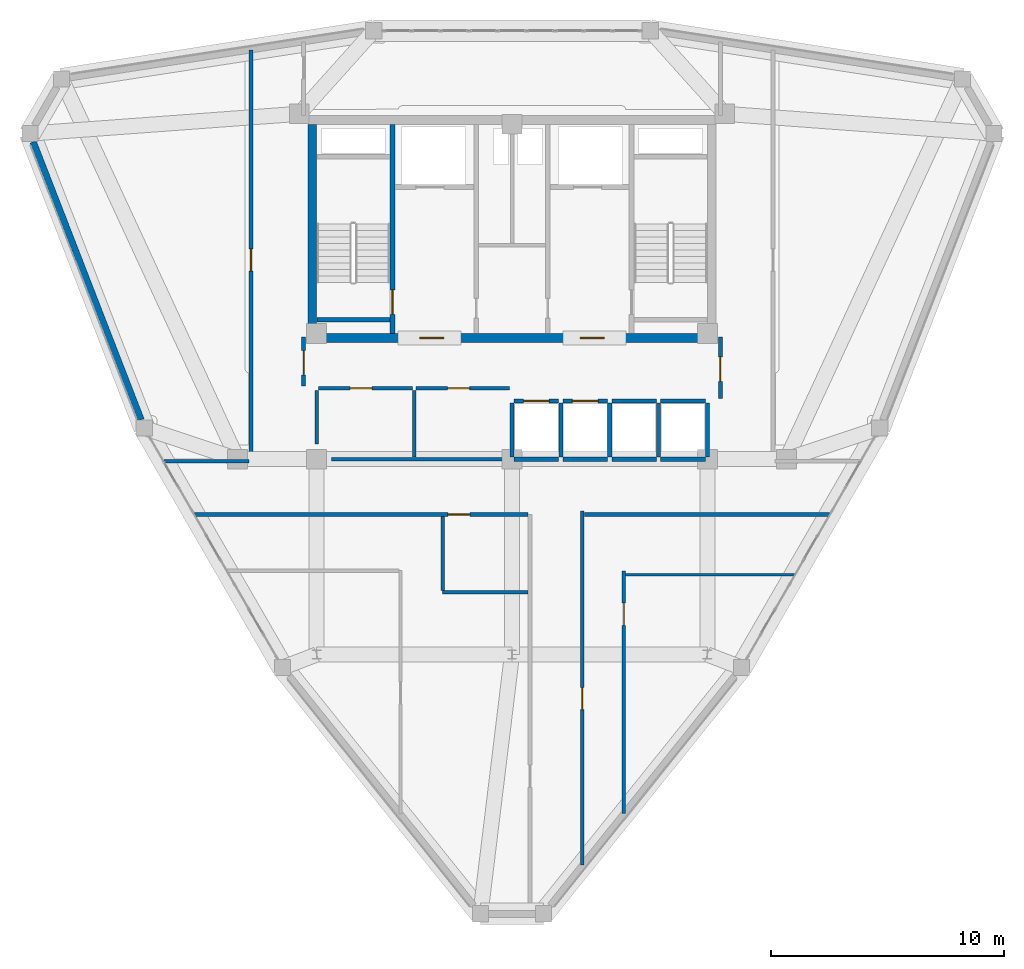
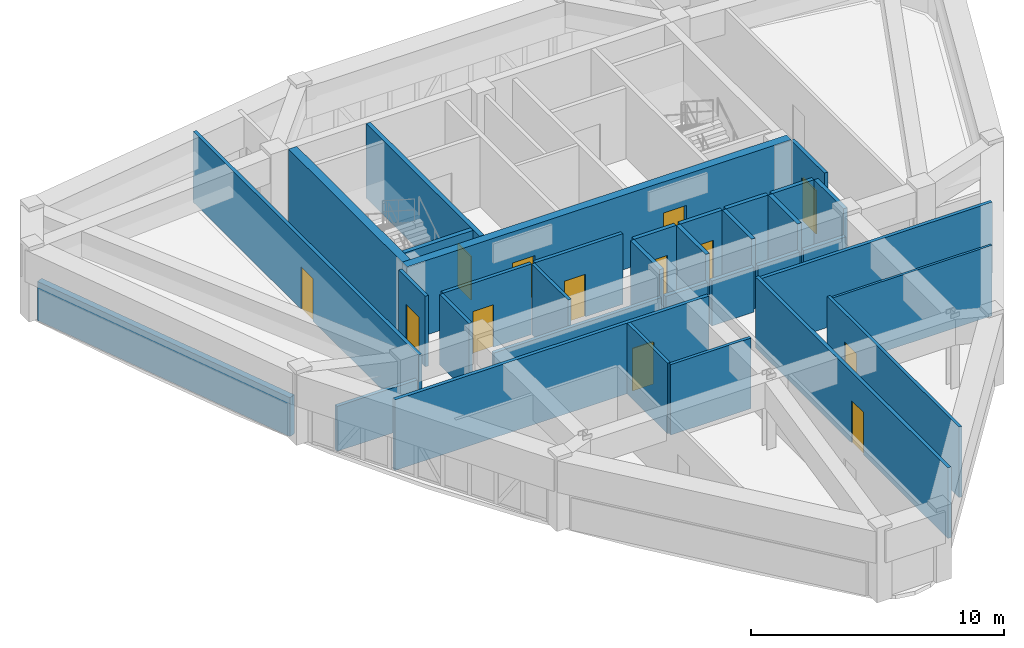
# One storey, part 11 of 14: 34 walls, 13 doors, 13 openings.
"""IFC4 building model written with IfcOpenShell, lengths in metres."""

from ifc_helpers import new_model, si_unit, derived_unit, direction, frame, frame_2d, origin, place, context, subcontext, project, spatial, rectangle, extrude, material, layer, layer_set, type_object, element, fill, save


model = new_model("IFC4")

# Units and contexts
model_context = context("Model", 3, precision=1e-05, world=origin(), true_north=direction((0.0, 1.0)))
body_context = subcontext(model_context, "Body", "Model", "MODEL_VIEW")
ifc_project = project(units=[si_unit("LENGTHUNIT", "METRE"), si_unit("AREAUNIT", "SQUARE_METRE"), si_unit("VOLUMEUNIT", "CUBIC_METRE"), si_unit("PLANEANGLEUNIT", "RADIAN"), si_unit("MASSUNIT", "GRAM", prefix="KILO"), derived_unit("THERMALTRANSMITTANCEUNIT", [(si_unit("POWERUNIT", "WATT"), 1), (si_unit("LENGTHUNIT", "METRE"), -2), (si_unit("THERMODYNAMICTEMPERATUREUNIT", "KELVIN"), -1)])], contexts=[model_context])

# Site, building, storey
site_placement = place(None, origin())
site = spatial("IfcSite", under=ifc_project, at=site_placement, CompositionType="ELEMENT")
building_placement = place(site_placement, origin())
building = spatial("IfcBuilding", under=site, at=building_placement, Name="Korsvarv Bourse and Concert Hall", CompositionType="ELEMENT")
storey_placement = place(building_placement, frame((0.0, 0.0, 253.800048828125)))
storey = spatial("IfcBuildingStorey", under=building, at=storey_placement, Name="L66", CompositionType="ELEMENT", Elevation=253.800048828125)

# Wall, openings, doors
ifc_material_1 = material(Name="Concrete C50/60", Category="concrete")
ifc_layer_1 = layer(ifc_material_1, 0.3798828125)
ifc_layer_set_1 = layer_set([ifc_layer_1], Name="Concrete C50/60")
wall_type_1 = type_object("IfcWallType", Name="WL-CORE-380", PredefinedType="SHEAR", material=ifc_layer_set_1)
wall_1_placement = place(storey_placement, frame((27.219970703125, 37.610107421875, 0.0), z_axis=(0.0, 0.0, 1.0), x_axis=(1.0, 0.0, 0.0)))
wall_1 = element("IfcWall", 1, at=wall_1_placement, inside=storey, type_object=wall_type_1, Name="L66 South Core Shear Wall", PredefinedType="SHEAR", context=body_context, shape_type="SweptSolid", body=[
    extrude(rectangle(XDim=17.56005859375, YDim=0.3798828125, at=frame_2d((8.780029296875, 0.0))), origin(), (0.0, 0.0, 1.0), 3.599853515625),
])
opening_1_placement = place(wall_1_placement, frame((4.804931640625, 0.0, 0.0)))
opening_1 = element("IfcOpeningElement", 2, at=opening_1_placement, cuts=wall_1, Name="Opening D-01", PredefinedType="OPENING", context=body_context, shape_type="SweptSolid", body=[
    extrude(rectangle(XDim=1.050048828125, YDim=2.10009765625, at=frame_2d((0.52490234375, 1.050048828125))), frame((0.0, 0.199951171875, 0.0), z_axis=(0.0, -1.0, 0.0), x_axis=(1.0, 0.0, 0.0)), (0.0, 0.0, 1.0), 0.39990234375),
])
opening_2_placement = place(wall_1_placement, frame((11.705078125, 0.0, 0.0)))
opening_2 = element("IfcOpeningElement", 3, at=opening_2_placement, cuts=wall_1, Name="Opening D-01", PredefinedType="OPENING", context=body_context, shape_type="SweptSolid", body=[
    extrude(rectangle(XDim=1.050048828125, YDim=2.10009765625, at=frame_2d((0.52490234375, 1.050048828125))), frame((0.0, 0.199951171875, 0.0), z_axis=(0.0, -1.0, 0.0), x_axis=(1.0, 0.0, 0.0)), (0.0, 0.0, 1.0), 0.39990234375),
])
ifc_material_2 = material(Name="Steel S355 fire door", Category="steel")
door_type_1 = type_object("IfcDoorType", Name="DR-FD60", OperationType="NOTDEFINED", PredefinedType="DOOR", material=ifc_material_2)
door_1_placement = place(opening_1_placement, frame((1.050048828125, 0.0, 0.0), z_axis=(0.0, 0.0, 1.0), x_axis=(-1.0, 0.0, 0.0)))
door_1 = element("IfcDoor", 4, at=door_1_placement, inside=storey, type_object=door_type_1, Name="L66 firefighting lobby fire door DR-L66-FFLW", OperationType="SINGLE_SWING_RIGHT", OverallHeight=2.10009765625, OverallWidth=1.050048828125, PredefinedType="DOOR", context=body_context, shape_type="SweptSolid", body=[
    extrude(rectangle(XDim=1.050048828125, YDim=2.10009765625, at=frame_2d((0.52490234375, 1.050048828125))), frame((0.0, 0.02490234375, 0.0), z_axis=(0.0, -1.0, 0.0), x_axis=(1.0, 0.0, 0.0)), (0.0, 0.0, 1.0), 0.050048828125),
])
fill(opening_1, door_1)
door_2_placement = place(opening_2_placement, frame((1.050048828125, 0.0, 0.0), z_axis=(0.0, 0.0, 1.0), x_axis=(-1.0, 0.0, 0.0)))
door_2 = element("IfcDoor", 5, at=door_2_placement, inside=storey, type_object=door_type_1, Name="L66 firefighting lobby fire door DR-L66-FFLE", OperationType="SINGLE_SWING_LEFT", OverallHeight=2.10009765625, OverallWidth=1.050048828125, PredefinedType="DOOR", context=body_context, shape_type="SweptSolid", body=[
    extrude(rectangle(XDim=1.050048828125, YDim=2.10009765625, at=frame_2d((0.52490234375, 1.050048828125))), frame((0.0, 0.02490234375, 0.0), z_axis=(0.0, -1.0, 0.0), x_axis=(1.0, 0.0, 0.0)), (0.0, 0.0, 1.0), 0.050048828125),
])
fill(opening_2, door_2)

# Wall
wall_2_placement = place(storey_placement, frame((27.409912109375, 37.800048828125, 0.0), z_axis=(0.0, 0.0, 1.0), x_axis=(0.0, 1.0, 0.0)))
element("IfcWall", 6, at=wall_2_placement, inside=storey, type_object=wall_type_1, Name="L66 West Core Shear Wall", PredefinedType="SHEAR", context=body_context, shape_type="SweptSolid", body=[
    extrude(rectangle(XDim=9.0, YDim=0.3798828125, at=frame_2d((4.5, 0.0))), origin(), (0.0, 0.0, 1.0), 3.599853515625),
])

# Wall, opening, door
wall_3_placement = place(storey_placement, frame((30.860107421875, 37.81005859375, 0.0), z_axis=(0.0, 0.0, 1.0), x_axis=(0.0, 1.0, 0.0)))
wall_3 = element("IfcWall", 7, at=wall_3_placement, inside=storey, type_object=wall_type_1, Name="L66 stair shaft structural wall W-L66-ST1-E", PredefinedType="SHEAR", context=body_context, shape_type="SweptSolid", body=[
    extrude(rectangle(XDim=8.97998046875, YDim=0.199951171875, at=frame_2d((4.489990234375, 0.0))), origin(), (0.0, 0.0, 1.0), 3.599853515625),
])
opening_3_placement = place(wall_3_placement, frame((0.820068359375, 0.0, 0.0)))
opening_3 = element("IfcOpeningElement", 8, at=opening_3_placement, cuts=wall_3, Name="Opening D-01", PredefinedType="OPENING", context=body_context, shape_type="SweptSolid", body=[
    extrude(rectangle(XDim=1.050048828125, YDim=2.10009765625, at=frame_2d((0.52490234375, 1.050048828125))), frame((0.0, 0.10986328125, 0.0), z_axis=(0.0, -1.0, 0.0), x_axis=(1.0, 0.0, 0.0)), (0.0, 0.0, 1.0), 0.219970703125),
])
door_3_placement = place(opening_3_placement, origin())
door_3 = element("IfcDoor", 9, at=door_3_placement, inside=storey, type_object=door_type_1, Name="L66 interior door DR-L66-ST1", OperationType="SINGLE_SWING_RIGHT", OverallHeight=2.10009765625, OverallWidth=1.050048828125, PredefinedType="DOOR", context=body_context, shape_type="SweptSolid", body=[
    extrude(rectangle(XDim=1.050048828125, YDim=2.10009765625, at=frame_2d((0.52490234375, 1.050048828125))), frame((0.0, 0.02490234375, 0.0), z_axis=(0.0, -1.0, 0.0), x_axis=(1.0, 0.0, 0.0)), (0.0, 0.0, 1.0), 0.050048828125),
])
fill(opening_3, door_3)

# Walls
wall_4_placement = place(storey_placement, frame((27.610107421875, 38.39990234375, 0.0), z_axis=(0.0, 0.0, 1.0), x_axis=(1.0, 0.0, 0.0)))
element("IfcWall", 10, at=wall_4_placement, inside=storey, type_object=wall_type_1, Name="L66 stair shaft structural wall W-L66-ST1-S", PredefinedType="SHEAR", context=body_context, shape_type="SweptSolid", body=[
    extrude(rectangle(XDim=3.139892578125, YDim=0.199951171875, at=frame_2d((1.56982421875, 0.0))), origin(), (0.0, 0.0, 1.0), 3.599853515625),
])
ifc_material_3 = material(Name="Precast concrete C45/55 with fluted terracotta pier", Category="concrete")
ifc_layer_2 = layer(ifc_material_3, 0.280029296875)
ifc_layer_set_2 = layer_set([ifc_layer_2], Name="Precast concrete C45/55 with fluted terracotta pier")
wall_type_2 = type_object("IfcWallType", Name="WL-EXT-TC2", PredefinedType="SOLIDWALL", material=ifc_layer_set_2)
wall_5_placement = place(storey_placement, frame((15.41259765625, 46.044189453125, 0.0), z_axis=(0.0, 0.0, 1.0), x_axis=(0.36191228283, -0.932212153716, 0.0)))
element("IfcWall", 11, at=wall_5_placement, inside=storey, type_object=wall_type_2, Name="L66 terracotta exterior wall EW-L66-B06", PredefinedType="SOLIDWALL", context=body_context, shape_type="SweptSolid", body=[
    extrude(rectangle(XDim=12.820556640625, YDim=0.280029296875, at=frame_2d((6.41015625, 0.0))), origin(), (0.0, 0.0, 1.0), 1.8798828125),
])
ifc_material_4 = material(Name="Double-stud fire-rated acoustic partition", Category="gypsum")
ifc_layer_3 = layer(ifc_material_4, 0.159912109375)
ifc_layer_set_3 = layer_set([ifc_layer_3], Name="Double-stud fire-rated acoustic partition")
wall_type_3 = type_object("IfcWallType", Name="WL-INT-EI60", PredefinedType="PARTITIONING", material=ifc_layer_set_3)
wall_6_placement = place(storey_placement, frame((28.25, 32.39990234375, 0.0), z_axis=(0.0, 0.0, 1.0), x_axis=(1.0, 0.0, 0.0)))
element("IfcWall", 12, at=wall_6_placement, inside=storey, type_object=wall_type_3, Name="L66 interior partition wall W-L66-FRD-S", PredefinedType="PARTITIONING", context=body_context, shape_type="SweptSolid", body=[
    extrude(rectangle(XDim=7.64990234375, YDim=0.159912109375, at=frame_2d((3.824951171875, 0.0))), origin(), (0.0, 0.0, 1.0), 2.169921875),
])
wall_7_placement = place(storey_placement, frame((27.60009765625, 33.050048828125, 0.0), z_axis=(0.0, 0.0, 1.0), x_axis=(0.0, 1.0, 0.0)))
element("IfcWall", 13, at=wall_7_placement, inside=storey, type_object=wall_type_3, Name="L66 interior partition wall W-L66-FRD-W", PredefinedType="PARTITIONING", context=body_context, shape_type="SweptSolid", body=[
    extrude(rectangle(XDim=2.31005859375, YDim=0.159912109375, at=frame_2d((1.155029296875, 0.0))), origin(), (0.0, 0.0, 1.0), 3.409912109375),
])

# Wall, opening, door
wall_8_placement = place(storey_placement, frame((27.68994140625, 35.449951171875, 0.0), z_axis=(0.0, 0.0, 1.0), x_axis=(1.0, 0.0, 0.0)))
wall_8 = element("IfcWall", 14, at=wall_8_placement, inside=storey, type_object=wall_type_3, Name="L66 interior partition wall W-L66-FRD-N1", PredefinedType="PARTITIONING", context=body_context, shape_type="SweptSolid", body=[
    extrude(rectangle(XDim=4.030029296875, YDim=0.159912109375, at=frame_2d((2.01513671875, 0.0))), origin(), (0.0, 0.0, 1.0), 3.409912109375),
])
opening_4_placement = place(wall_8_placement, frame((1.35009765625, 0.0, 0.0)))
opening_4 = element("IfcOpeningElement", 15, at=opening_4_placement, cuts=wall_8, Name="Opening D-03", PredefinedType="OPENING", context=body_context, shape_type="SweptSolid", body=[
    extrude(rectangle(XDim=0.949951171875, YDim=2.050048828125, at=frame_2d((0.47509765625, 1.02490234375))), frame((0.0, 0.08984375, 0.0), z_axis=(0.0, -1.0, 0.0), x_axis=(1.0, 0.0, 0.0)), (0.0, 0.0, 1.0), 0.179931640625),
])
ifc_material_5 = material(Name="Nordic oak acoustic office door", Category="wood")
door_type_2 = type_object("IfcDoorType", Name="DR-INT-1", OperationType="NOTDEFINED", PredefinedType="DOOR", material=ifc_material_5)
door_4_placement = place(opening_4_placement, origin())
door_4 = element("IfcDoor", 16, at=door_4_placement, inside=storey, type_object=door_type_2, Name="L66 interior door DR-L66-FRDN1", OperationType="SINGLE_SWING_RIGHT", OverallHeight=2.050048828125, OverallWidth=0.949951171875, PredefinedType="DOOR", context=body_context, shape_type="SweptSolid", body=[
    extrude(rectangle(XDim=0.949951171875, YDim=2.050048828125, at=frame_2d((0.47509765625, 1.02490234375))), frame((0.0, 0.02490234375, 0.0), z_axis=(0.0, -1.0, 0.0), x_axis=(1.0, 0.0, 0.0)), (0.0, 0.0, 1.0), 0.050048828125),
])
fill(opening_4, door_4)

wall_9_placement = place(storey_placement, frame((31.8798828125, 35.449951171875, 0.0), z_axis=(0.0, 0.0, 1.0), x_axis=(1.0, 0.0, 0.0)))
wall_9 = element("IfcWall", 17, at=wall_9_placement, inside=storey, type_object=wall_type_3, Name="L66 interior partition wall W-L66-FRD-N2", PredefinedType="PARTITIONING", context=body_context, shape_type="SweptSolid", body=[
    extrude(rectangle(XDim=4.02001953125, YDim=0.159912109375, at=frame_2d((2.010009765625, 0.0))), origin(), (0.0, 0.0, 1.0), 3.409912109375),
])
opening_5_placement = place(wall_9_placement, frame((1.35009765625, 0.0, 0.0)))
opening_5 = element("IfcOpeningElement", 18, at=opening_5_placement, cuts=wall_9, Name="Opening D-03", PredefinedType="OPENING", context=body_context, shape_type="SweptSolid", body=[
    extrude(rectangle(XDim=0.949951171875, YDim=2.050048828125, at=frame_2d((0.47509765625, 1.02490234375))), frame((0.0, 0.08984375, 0.0), z_axis=(0.0, -1.0, 0.0), x_axis=(1.0, 0.0, 0.0)), (0.0, 0.0, 1.0), 0.179931640625),
])
door_5_placement = place(opening_5_placement, origin())
door_5 = element("IfcDoor", 19, at=door_5_placement, inside=storey, type_object=door_type_2, Name="L66 interior door DR-L66-FRDN2", OperationType="SINGLE_SWING_LEFT", OverallHeight=2.050048828125, OverallWidth=0.949951171875, PredefinedType="DOOR", context=body_context, shape_type="SweptSolid", body=[
    extrude(rectangle(XDim=0.949951171875, YDim=2.050048828125, at=frame_2d((0.47509765625, 1.02490234375))), frame((0.0, 0.02490234375, 0.0), z_axis=(0.0, -1.0, 0.0), x_axis=(1.0, 0.0, 0.0)), (0.0, 0.0, 1.0), 0.050048828125),
])
fill(opening_5, door_5)

wall_10_placement = place(storey_placement, frame((27.0400390625, 35.5400390625, 0.0), z_axis=(0.0, 0.0, 1.0), x_axis=(0.0, 1.0, 0.0)))
wall_10 = element("IfcWall", 20, at=wall_10_placement, inside=storey, type_object=wall_type_3, Name="L66 interior partition wall W-L66-LOB-WL", PredefinedType="PARTITIONING", context=body_context, shape_type="SweptSolid", body=[
    extrude(rectangle(XDim=2.10986328125, YDim=0.159912109375, at=frame_2d((1.054931640625, 0.0))), origin(), (0.0, 0.0, 1.0), 3.409912109375),
])
opening_6_placement = place(wall_10_placement, frame((0.47998046875, 0.0, 0.0)))
opening_6 = element("IfcOpeningElement", 21, at=opening_6_placement, cuts=wall_10, Name="Opening D-01", PredefinedType="OPENING", context=body_context, shape_type="SweptSolid", body=[
    extrude(rectangle(XDim=1.050048828125, YDim=2.10009765625, at=frame_2d((0.52490234375, 1.050048828125))), frame((0.0, 0.08984375, 0.0), z_axis=(0.0, -1.0, 0.0), x_axis=(1.0, 0.0, 0.0)), (0.0, 0.0, 1.0), 0.179931640625),
])
door_6_placement = place(opening_6_placement, frame((1.050048828125, 0.0, 0.0), z_axis=(0.0, 0.0, 1.0), x_axis=(-1.0, 0.0, 0.0)))
door_6 = element("IfcDoor", 22, at=door_6_placement, inside=storey, type_object=door_type_1, Name="L66 interior door DR-L66-LOBW", OperationType="SINGLE_SWING_RIGHT", OverallHeight=2.10009765625, OverallWidth=1.050048828125, PredefinedType="DOOR", context=body_context, shape_type="SweptSolid", body=[
    extrude(rectangle(XDim=1.050048828125, YDim=2.10009765625, at=frame_2d((0.52490234375, 1.050048828125))), frame((0.0, 0.02490234375, 0.0), z_axis=(0.0, -1.0, 0.0), x_axis=(1.0, 0.0, 0.0)), (0.0, 0.0, 1.0), 0.050048828125),
])
fill(opening_6, door_6)

wall_11_placement = place(storey_placement, frame((44.9599609375, 35.0, 0.0), z_axis=(0.0, 0.0, 1.0), x_axis=(0.0, 1.0, 0.0)))
wall_11 = element("IfcWall", 23, at=wall_11_placement, inside=storey, type_object=wall_type_3, Name="L66 interior partition wall W-L66-LOB-E", PredefinedType="PARTITIONING", context=body_context, shape_type="SweptSolid", body=[
    extrude(rectangle(XDim=2.64990234375, YDim=0.159912109375, at=frame_2d((1.324951171875, 0.0))), origin(), (0.0, 0.0, 1.0), 3.409912109375),
])
opening_7_placement = place(wall_11_placement, frame((0.75, 0.0, 0.0)))
opening_7 = element("IfcOpeningElement", 24, at=opening_7_placement, cuts=wall_11, Name="Opening D-01", PredefinedType="OPENING", context=body_context, shape_type="SweptSolid", body=[
    extrude(rectangle(XDim=1.050048828125, YDim=2.10009765625, at=frame_2d((0.52490234375, 1.050048828125))), frame((0.0, 0.08984375, 0.0), z_axis=(0.0, -1.0, 0.0), x_axis=(1.0, 0.0, 0.0)), (0.0, 0.0, 1.0), 0.179931640625),
])
door_7_placement = place(opening_7_placement, origin())
door_7 = element("IfcDoor", 25, at=door_7_placement, inside=storey, type_object=door_type_1, Name="L66 interior door DR-L66-LOBE", OperationType="SINGLE_SWING_LEFT", OverallHeight=2.10009765625, OverallWidth=1.050048828125, PredefinedType="DOOR", context=body_context, shape_type="SweptSolid", body=[
    extrude(rectangle(XDim=1.050048828125, YDim=2.10009765625, at=frame_2d((0.52490234375, 1.050048828125))), frame((0.0, 0.02490234375, 0.0), z_axis=(0.0, -1.0, 0.0), x_axis=(1.0, 0.0, 0.0)), (0.0, 0.0, 1.0), 0.050048828125),
])
fill(opening_7, door_7)

wall_12_placement = place(storey_placement, frame((24.77490234375, 32.159912109375, 0.0), z_axis=(0.0, 0.0, 1.0), x_axis=(0.0, 1.0, 0.0)))
wall_12 = element("IfcWall", 26, at=wall_12_placement, inside=storey, type_object=wall_type_3, Name="L66 interior partition wall W-L66-TCOR-02", PredefinedType="PARTITIONING", context=body_context, shape_type="SweptSolid", body=[
    extrude(rectangle(XDim=17.8271484375, YDim=0.159912109375, at=frame_2d((8.91357421875, 0.0))), origin(), (0.0, 0.0, 1.0), 3.409912109375),
])
opening_8_placement = place(wall_12_placement, frame((8.330322265625, 0.0, 0.0)))
opening_8 = element("IfcOpeningElement", 27, at=opening_8_placement, cuts=wall_12, Name="Opening D-02", PredefinedType="OPENING", context=body_context, shape_type="SweptSolid", body=[
    extrude(rectangle(XDim=0.949951171875, YDim=2.050048828125, at=frame_2d((0.47509765625, 1.02490234375))), frame((0.0, 0.08984375, 0.0), z_axis=(0.0, -1.0, 0.0), x_axis=(1.0, 0.0, 0.0)), (0.0, 0.0, 1.0), 0.179931640625),
])
ifc_material_6 = material(Name="Timber and steel acoustic fire door", Category="wood")
door_type_3 = type_object("IfcDoorType", Name="DR-FD30", OperationType="NOTDEFINED", PredefinedType="DOOR", material=ifc_material_6)
door_8_placement = place(opening_8_placement, origin())
door_8 = element("IfcDoor", 28, at=door_8_placement, inside=storey, type_object=door_type_3, Name="L66 interior door DR-L66-TCOR-NWC7", OperationType="SINGLE_SWING_LEFT", OverallHeight=2.050048828125, OverallWidth=0.949951171875, PredefinedType="DOOR", context=body_context, shape_type="SweptSolid", body=[
    extrude(rectangle(XDim=0.949951171875, YDim=2.050048828125, at=frame_2d((0.47509765625, 1.02490234375))), frame((0.0, 0.02490234375, 0.0), z_axis=(0.0, -1.0, 0.0), x_axis=(1.0, 0.0, 0.0)), (0.0, 0.0, 1.0), 0.050048828125),
])
fill(opening_8, door_8)

wall_13_placement = place(storey_placement, frame((39.02490234375, 14.9482421875, 0.0), z_axis=(0.0, 0.0, 1.0), x_axis=(0.0, 1.0, 0.0)))
wall_13 = element("IfcWall", 29, at=wall_13_placement, inside=storey, type_object=wall_type_3, Name="L66 interior partition wall W-L66-TCOR-04", PredefinedType="PARTITIONING", context=body_context, shape_type="SweptSolid", body=[
    extrude(rectangle(XDim=15.231689453125, YDim=0.159912109375, at=frame_2d((7.61572265625, 0.0))), origin(), (0.0, 0.0, 1.0), 3.409912109375),
])
opening_9_placement = place(wall_13_placement, frame((6.6796875, 0.0, 0.0)))
opening_9 = element("IfcOpeningElement", 30, at=opening_9_placement, cuts=wall_13, Name="Opening D-02", PredefinedType="OPENING", context=body_context, shape_type="SweptSolid", body=[
    extrude(rectangle(XDim=0.949951171875, YDim=2.050048828125, at=frame_2d((0.47509765625, 1.02490234375))), frame((0.0, 0.08984375, 0.0), z_axis=(0.0, -1.0, 0.0), x_axis=(1.0, 0.0, 0.0)), (0.0, 0.0, 1.0), 0.179931640625),
])
door_9_placement = place(opening_9_placement, origin())
door_9 = element("IfcDoor", 31, at=door_9_placement, inside=storey, type_object=door_type_3, Name="L66 interior door DR-L66-TCOR-SEB2", OperationType="SINGLE_SWING_LEFT", OverallHeight=2.050048828125, OverallWidth=0.949951171875, PredefinedType="DOOR", context=body_context, shape_type="SweptSolid", body=[
    extrude(rectangle(XDim=0.949951171875, YDim=2.050048828125, at=frame_2d((0.47509765625, 1.02490234375))), frame((0.0, 0.02490234375, 0.0), z_axis=(0.0, -1.0, 0.0), x_axis=(1.0, 0.0, 0.0)), (0.0, 0.0, 1.0), 0.050048828125),
])
fill(opening_9, door_9)

wall_14_placement = place(storey_placement, frame((22.35400390625, 30.02490234375, 0.0), z_axis=(0.0, 0.0, 1.0), x_axis=(1.0, 0.0, 0.0)))
wall_14 = element("IfcWall", 32, at=wall_14_placement, inside=storey, type_object=wall_type_3, Name="L66 interior partition wall W-L66-TCOR-05", PredefinedType="PARTITIONING", context=body_context, shape_type="SweptSolid", body=[
    extrude(rectangle(XDim=14.339111328125, YDim=0.159912109375, at=frame_2d((7.16943359375, 0.0))), origin(), (0.0, 0.0, 1.0), 3.409912109375),
])
opening_10_placement = place(wall_14_placement, frame((10.885986328125, 0.0, 0.0)))
opening_10 = element("IfcOpeningElement", 33, at=opening_10_placement, cuts=wall_14, Name="Opening D-02", PredefinedType="OPENING", context=body_context, shape_type="SweptSolid", body=[
    extrude(rectangle(XDim=0.949951171875, YDim=2.050048828125, at=frame_2d((0.47509765625, 1.02490234375))), frame((0.0, 0.08984375, 0.0), z_axis=(0.0, -1.0, 0.0), x_axis=(1.0, 0.0, 0.0)), (0.0, 0.0, 1.0), 0.179931640625),
])
door_10_placement = place(opening_10_placement, origin())
door_10 = element("IfcDoor", 34, at=door_10_placement, inside=storey, type_object=door_type_3, Name="L66 interior door DR-L66-TCOR-RWC", OperationType="SINGLE_SWING_RIGHT", OverallHeight=2.050048828125, OverallWidth=0.949951171875, PredefinedType="DOOR", context=body_context, shape_type="SweptSolid", body=[
    extrude(rectangle(XDim=0.949951171875, YDim=2.050048828125, at=frame_2d((0.47509765625, 1.02490234375))), frame((0.0, 0.02490234375, 0.0), z_axis=(0.0, -1.0, 0.0), x_axis=(1.0, 0.0, 0.0)), (0.0, 0.0, 1.0), 0.050048828125),
])
fill(opening_10, door_10)

# Walls
wall_15_placement = place(storey_placement, frame((39.10693359375, 30.02490234375, 0.0), z_axis=(0.0, 0.0, 1.0), x_axis=(1.0, 0.0, 0.0)))
element("IfcWall", 35, at=wall_15_placement, inside=storey, type_object=wall_type_3, Name="L66 interior partition wall W-L66-TCOR-06", PredefinedType="PARTITIONING", context=body_context, shape_type="SweptSolid", body=[
    extrude(rectangle(XDim=10.5390625, YDim=0.159912109375, at=frame_2d((5.26953125, 0.0))), origin(), (0.0, 0.0, 1.0), 3.409912109375),
])
wall_16_placement = place(storey_placement, frame((21.03173828125, 32.31494140625, 0.0), z_axis=(0.0, 0.0, 1.0), x_axis=(1.0, 0.0, 0.0)))
element("IfcWall", 36, at=wall_16_placement, inside=storey, type_object=wall_type_3, Name="L66 interior partition wall W-L66-TCOR-07", PredefinedType="PARTITIONING", context=body_context, shape_type="SweptSolid", body=[
    extrude(rectangle(XDim=3.661376953125, YDim=0.159912109375, at=frame_2d((1.83056640625, 0.0))), origin(), (0.0, 0.0, 1.0), 2.169921875),
])

# Wall, opening, door
ifc_material_7 = material(Name="Gypsum-clad autoclaved concrete shaft wall C30/37", Category="concrete")
ifc_layer_4 = layer(ifc_material_7, 0.179931640625)
ifc_layer_set_4 = layer_set([ifc_layer_4], Name="Gypsum-clad autoclaved concrete shaft wall C30/37")
wall_type_4 = type_object("IfcWallType", Name="WL-INT-EI90", PredefinedType="PARTITIONING", material=ifc_layer_set_4)
wall_17_placement = place(storey_placement, frame((36.090087890625, 34.89990234375, 0.0), z_axis=(0.0, 0.0, 1.0), x_axis=(1.0, 0.0, 0.0)))
wall_17 = element("IfcWall", 37, at=wall_17_placement, inside=storey, type_object=wall_type_4, Name="L66 interior partition wall W-L66-SHFN-PH1", PredefinedType="PARTITIONING", context=body_context, shape_type="SweptSolid", body=[
    extrude(rectangle(XDim=1.919921875, YDim=0.179931640625, at=frame_2d((0.9599609375, 0.0))), origin(), (0.0, 0.0, 1.0), 3.409912109375),
])
opening_11_placement = place(wall_17_placement, frame((0.409912109375, 0.0, 0.0)))
opening_11 = element("IfcOpeningElement", 38, at=opening_11_placement, cuts=wall_17, Name="Opening LD-2", PredefinedType="OPENING", context=body_context, shape_type="SweptSolid", body=[
    extrude(rectangle(XDim=1.10009765625, YDim=2.10009765625, at=frame_2d((0.550048828125, 1.050048828125))), frame((0.0, 0.10009765625, 0.0), z_axis=(0.0, -1.0, 0.0), x_axis=(1.0, 0.0, 0.0)), (0.0, 0.0, 1.0), 0.199951171875),
])
ifc_material_8 = material(Name="Brushed stainless Steel S355 lift landing door", Category="steel")
door_type_4 = type_object("IfcDoorType", Name="DR-LIFT-P", OperationType="DOUBLE_DOOR_SLIDING", PredefinedType="DOOR", material=ifc_material_8)
door_11_placement = place(opening_11_placement, origin())
door_11 = element("IfcDoor", 39, at=door_11_placement, inside=storey, type_object=door_type_4, Name="L66 lift sliding landing door LD-L66-PH1", OperationType="DOUBLE_DOOR_SLIDING", OverallHeight=2.10009765625, OverallWidth=1.10009765625, PredefinedType="DOOR", context=body_context, shape_type="SweptSolid", body=[
    extrude(rectangle(XDim=1.10009765625, YDim=2.10009765625, at=frame_2d((0.550048828125, 1.050048828125))), frame((0.0, 0.02490234375, 0.0), z_axis=(0.0, -1.0, 0.0), x_axis=(1.0, 0.0, 0.0)), (0.0, 0.0, 1.0), 0.050048828125),
])
fill(opening_11, door_11)

# Walls
wall_18_placement = place(storey_placement, frame((36.090087890625, 32.39990234375, 0.0), z_axis=(0.0, 0.0, 1.0), x_axis=(1.0, 0.0, 0.0)))
element("IfcWall", 40, at=wall_18_placement, inside=storey, type_object=wall_type_4, Name="L66 interior partition wall W-L66-SHFS-PH1", PredefinedType="PARTITIONING", context=body_context, shape_type="SweptSolid", body=[
    extrude(rectangle(XDim=1.919921875, YDim=0.179931640625, at=frame_2d((0.9599609375, 0.0))), origin(), (0.0, 0.0, 1.0), 2.169921875),
])
wall_19_placement = place(storey_placement, frame((36.0, 32.489990234375, 0.0), z_axis=(0.0, 0.0, 1.0), x_axis=(0.0, 1.0, 0.0)))
element("IfcWall", 41, at=wall_19_placement, inside=storey, type_object=wall_type_4, Name="L66 interior partition wall W-L66-SHFW-PH1", PredefinedType="PARTITIONING", context=body_context, shape_type="SweptSolid", body=[
    extrude(rectangle(XDim=2.320068359375, YDim=0.179931640625, at=frame_2d((1.16015625, 0.0))), origin(), (0.0, 0.0, 1.0), 3.409912109375),
])

# Wall, opening, door
wall_20_placement = place(storey_placement, frame((38.18994140625, 34.89990234375, 0.0), z_axis=(0.0, 0.0, 1.0), x_axis=(1.0, 0.0, 0.0)))
wall_20 = element("IfcWall", 42, at=wall_20_placement, inside=storey, type_object=wall_type_4, Name="L66 interior partition wall W-L66-SHFN-PH2", PredefinedType="PARTITIONING", context=body_context, shape_type="SweptSolid", body=[
    extrude(rectangle(XDim=1.920166015625, YDim=0.179931640625, at=frame_2d((0.9599609375, 0.0))), origin(), (0.0, 0.0, 1.0), 3.409912109375),
])
opening_12_placement = place(wall_20_placement, frame((0.409912109375, 0.0, 0.0)))
opening_12 = element("IfcOpeningElement", 43, at=opening_12_placement, cuts=wall_20, Name="Opening LD-2", PredefinedType="OPENING", context=body_context, shape_type="SweptSolid", body=[
    extrude(rectangle(XDim=1.10009765625, YDim=2.10009765625, at=frame_2d((0.550048828125, 1.050048828125))), frame((0.0, 0.10009765625, 0.0), z_axis=(0.0, -1.0, 0.0), x_axis=(1.0, 0.0, 0.0)), (0.0, 0.0, 1.0), 0.199951171875),
])
door_12_placement = place(opening_12_placement, origin())
door_12 = element("IfcDoor", 44, at=door_12_placement, inside=storey, type_object=door_type_4, Name="L66 lift sliding landing door LD-L66-PH2", OperationType="DOUBLE_DOOR_SLIDING", OverallHeight=2.10009765625, OverallWidth=1.10009765625, PredefinedType="DOOR", context=body_context, shape_type="SweptSolid", body=[
    extrude(rectangle(XDim=1.10009765625, YDim=2.10009765625, at=frame_2d((0.550048828125, 1.050048828125))), frame((0.0, 0.02490234375, 0.0), z_axis=(0.0, -1.0, 0.0), x_axis=(1.0, 0.0, 0.0)), (0.0, 0.0, 1.0), 0.050048828125),
])
fill(opening_12, door_12)

# Walls
wall_21_placement = place(storey_placement, frame((38.18994140625, 32.39990234375, 0.0), z_axis=(0.0, 0.0, 1.0), x_axis=(1.0, 0.0, 0.0)))
element("IfcWall", 45, at=wall_21_placement, inside=storey, type_object=wall_type_4, Name="L66 interior partition wall W-L66-SHFS-PH2", PredefinedType="PARTITIONING", context=body_context, shape_type="SweptSolid", body=[
    extrude(rectangle(XDim=1.920166015625, YDim=0.179931640625, at=frame_2d((0.9599609375, 0.0))), origin(), (0.0, 0.0, 1.0), 2.169921875),
])
wall_22_placement = place(storey_placement, frame((38.10009765625, 32.489990234375, 0.0), z_axis=(0.0, 0.0, 1.0), x_axis=(0.0, 1.0, 0.0)))
element("IfcWall", 46, at=wall_22_placement, inside=storey, type_object=wall_type_4, Name="L66 interior partition wall W-L66-SHFW-PH2", PredefinedType="PARTITIONING", context=body_context, shape_type="SweptSolid", body=[
    extrude(rectangle(XDim=2.320068359375, YDim=0.179931640625, at=frame_2d((1.16015625, 0.0))), origin(), (0.0, 0.0, 1.0), 3.409912109375),
])
wall_23_placement = place(storey_placement, frame((40.2900390625, 34.89990234375, 0.0), z_axis=(0.0, 0.0, 1.0), x_axis=(1.0, 0.0, 0.0)))
element("IfcWall", 47, at=wall_23_placement, inside=storey, type_object=wall_type_4, Name="L66 interior partition wall W-L66-SHFN-PO1", PredefinedType="PARTITIONING", context=body_context, shape_type="SweptSolid", body=[
    extrude(rectangle(XDim=1.919921875, YDim=0.179931640625, at=frame_2d((0.9599609375, 0.0))), origin(), (0.0, 0.0, 1.0), 3.409912109375),
])
wall_24_placement = place(storey_placement, frame((40.2900390625, 32.39990234375, 0.0), z_axis=(0.0, 0.0, 1.0), x_axis=(1.0, 0.0, 0.0)))
element("IfcWall", 48, at=wall_24_placement, inside=storey, type_object=wall_type_4, Name="L66 interior partition wall W-L66-SHFS-PO1", PredefinedType="PARTITIONING", context=body_context, shape_type="SweptSolid", body=[
    extrude(rectangle(XDim=1.919921875, YDim=0.179931640625, at=frame_2d((0.9599609375, 0.0))), origin(), (0.0, 0.0, 1.0), 2.169921875),
])
wall_25_placement = place(storey_placement, frame((40.199951171875, 32.489990234375, 0.0), z_axis=(0.0, 0.0, 1.0), x_axis=(0.0, 1.0, 0.0)))
element("IfcWall", 49, at=wall_25_placement, inside=storey, type_object=wall_type_4, Name="L66 interior partition wall W-L66-SHFW-PO1", PredefinedType="PARTITIONING", context=body_context, shape_type="SweptSolid", body=[
    extrude(rectangle(XDim=2.320068359375, YDim=0.179931640625, at=frame_2d((1.16015625, 0.0))), origin(), (0.0, 0.0, 1.0), 3.409912109375),
])
wall_26_placement = place(storey_placement, frame((42.389892578125, 34.89990234375, 0.0), z_axis=(0.0, 0.0, 1.0), x_axis=(1.0, 0.0, 0.0)))
element("IfcWall", 50, at=wall_26_placement, inside=storey, type_object=wall_type_4, Name="L66 interior partition wall W-L66-SHFN-PO2", PredefinedType="PARTITIONING", context=body_context, shape_type="SweptSolid", body=[
    extrude(rectangle(XDim=1.920166015625, YDim=0.179931640625, at=frame_2d((0.9599609375, 0.0))), origin(), (0.0, 0.0, 1.0), 3.409912109375),
])
wall_27_placement = place(storey_placement, frame((42.389892578125, 32.39990234375, 0.0), z_axis=(0.0, 0.0, 1.0), x_axis=(1.0, 0.0, 0.0)))
element("IfcWall", 51, at=wall_27_placement, inside=storey, type_object=wall_type_4, Name="L66 interior partition wall W-L66-SHFS-PO2", PredefinedType="PARTITIONING", context=body_context, shape_type="SweptSolid", body=[
    extrude(rectangle(XDim=1.920166015625, YDim=0.179931640625, at=frame_2d((0.9599609375, 0.0))), origin(), (0.0, 0.0, 1.0), 2.169921875),
])
for number, where, z_axis, x_axis, name in (
    (52, (42.300048828125, 32.489990234375, 0.0), (0.0, 0.0, 1.0), (0.0, 1.0, 0.0), "L66 interior partition wall W-L66-SHFW-PO2"),
    (53, (44.39990234375, 32.489990234375, 0.0), (0.0, 0.0, 1.0), (0.0, 1.0, 0.0), "L66 interior partition wall W-L66-SHFE-END"),
):
    element("IfcWall", number, at=place(storey_placement, frame(where, z_axis=z_axis, x_axis=x_axis)), inside=storey, type_object=wall_type_4, Name=name, PredefinedType="PARTITIONING", context=body_context, shape_type="SweptSolid", body=[
        extrude(rectangle(XDim=2.320068359375, YDim=0.179931640625, at=frame_2d((1.16015625, 0.0))), origin(), (0.0, 0.0, 1.0), 3.409912109375),
    ])
ifc_material_9 = material(Name="Demountable acoustic glass and aluminium dealing partition", Category="aluminium")
ifc_layer_5 = layer(ifc_material_9, 0.110107421875)
ifc_layer_set_5 = layer_set([ifc_layer_5], Name="Demountable acoustic glass and aluminium dealing partition")
wall_type_5 = type_object("IfcWallType", Name="WL-INT-MOV", PredefinedType="MOVABLE", material=ifc_layer_set_5)
wall_28_placement = place(storey_placement, frame((40.876953125, 27.43505859375, 0.0), z_axis=(0.0, 0.0, 1.0), x_axis=(1.0, 0.0, 0.0)))
element("IfcWall", 54, at=wall_28_placement, inside=storey, type_object=wall_type_5, Name="L66 interior partition wall W-L66-TCOR-14", PredefinedType="MOVABLE", context=body_context, shape_type="SweptSolid", body=[
    extrude(rectangle(XDim=7.27392578125, YDim=0.110107421875, at=frame_2d((3.636962890625, 0.0))), origin(), (0.0, 0.0, 1.0), 3.409912109375),
])
ifc_material_10 = material(Name="Insulated steel-stud office acoustic partition", Category="gypsum")
ifc_layer_6 = layer(ifc_material_10, 0.139892578125)
ifc_layer_set_6 = layer_set([ifc_layer_6], Name="Insulated steel-stud office acoustic partition")
wall_type_6 = type_object("IfcWallType", Name="WL-INT-P1", PredefinedType="PARTITIONING", material=ifc_layer_set_6)
wall_29_placement = place(storey_placement, frame((31.800048828125, 32.489990234375, 0.0), z_axis=(0.0, 0.0, 1.0), x_axis=(0.0, 1.0, 0.0)))
element("IfcWall", 55, at=wall_29_placement, inside=storey, type_object=wall_type_6, Name="L66 interior partition wall W-L66-FRD-V", PredefinedType="PARTITIONING", context=body_context, shape_type="SweptSolid", body=[
    extrude(rectangle(XDim=2.8701171875, YDim=0.139892578125, at=frame_2d((1.43505859375, 0.0))), origin(), (0.0, 0.0, 1.0), 3.409912109375),
])

# Wall, opening, door
wall_30_placement = place(storey_placement, frame((40.804931640625, 17.163330078125, 0.0), z_axis=(0.0, 0.0, 1.0), x_axis=(0.0, 1.0, 0.0)))
wall_30 = element("IfcWall", 56, at=wall_30_placement, inside=storey, type_object=wall_type_6, Name="L66 interior partition wall W-L66-TCOR-12", PredefinedType="PARTITIONING", context=body_context, shape_type="SweptSolid", body=[
    extrude(rectangle(XDim=10.4267578125, YDim=0.139892578125, at=frame_2d((5.21337890625, 0.0))), origin(), (0.0, 0.0, 1.0), 3.409912109375),
])
opening_13_placement = place(wall_30_placement, frame((8.095703125, 0.0, 0.0)))
opening_13 = element("IfcOpeningElement", 57, at=opening_13_placement, cuts=wall_30, Name="Opening D-03", PredefinedType="OPENING", context=body_context, shape_type="SweptSolid", body=[
    extrude(rectangle(XDim=0.949951171875, YDim=2.050048828125, at=frame_2d((0.47509765625, 1.02490234375))), frame((0.0, 0.080078125, 0.0), z_axis=(0.0, -1.0, 0.0), x_axis=(1.0, 0.0, 0.0)), (0.0, 0.0, 1.0), 0.159912109375),
])
door_13_placement = place(opening_13_placement, origin())
door_13 = element("IfcDoor", 58, at=door_13_placement, inside=storey, type_object=door_type_2, Name="L66 interior door DR-L66-TCOR-SAPE3", OperationType="SINGLE_SWING_LEFT", OverallHeight=2.050048828125, OverallWidth=0.949951171875, PredefinedType="DOOR", context=body_context, shape_type="SweptSolid", body=[
    extrude(rectangle(XDim=0.949951171875, YDim=2.050048828125, at=frame_2d((0.47509765625, 1.02490234375))), frame((0.0, 0.02490234375, 0.0), z_axis=(0.0, -1.0, 0.0), x_axis=(1.0, 0.0, 0.0)), (0.0, 0.0, 1.0), 0.050048828125),
])
fill(opening_13, door_13)

# Walls
wall_31_placement = place(storey_placement, frame((33.02001953125, 26.675048828125, 0.0), z_axis=(0.0, 0.0, 1.0), x_axis=(1.0, 0.0, 0.0)))
element("IfcWall", 59, at=wall_31_placement, inside=storey, type_object=wall_type_6, Name="L66 interior partition wall W-L66-TCOR-15", PredefinedType="PARTITIONING", context=body_context, shape_type="SweptSolid", body=[
    extrude(rectangle(XDim=3.673095703125, YDim=0.139892578125, at=frame_2d((1.83642578125, 0.0))), origin(), (0.0, 0.0, 1.0), 3.409912109375),
])
wall_32_placement = place(storey_placement, frame((33.02490234375, 26.7470703125, 0.0), z_axis=(0.0, 0.0, 1.0), x_axis=(0.0, 1.0, 0.0)))
element("IfcWall", 60, at=wall_32_placement, inside=storey, type_object=wall_type_6, Name="L66 interior partition wall W-L66-TCOR-16", PredefinedType="PARTITIONING", context=body_context, shape_type="SweptSolid", body=[
    extrude(rectangle(XDim=3.196044921875, YDim=0.139892578125, at=frame_2d((1.59814453125, 0.0))), origin(), (0.0, 0.0, 1.0), 3.409912109375),
])

save(model, "model.ifc")
